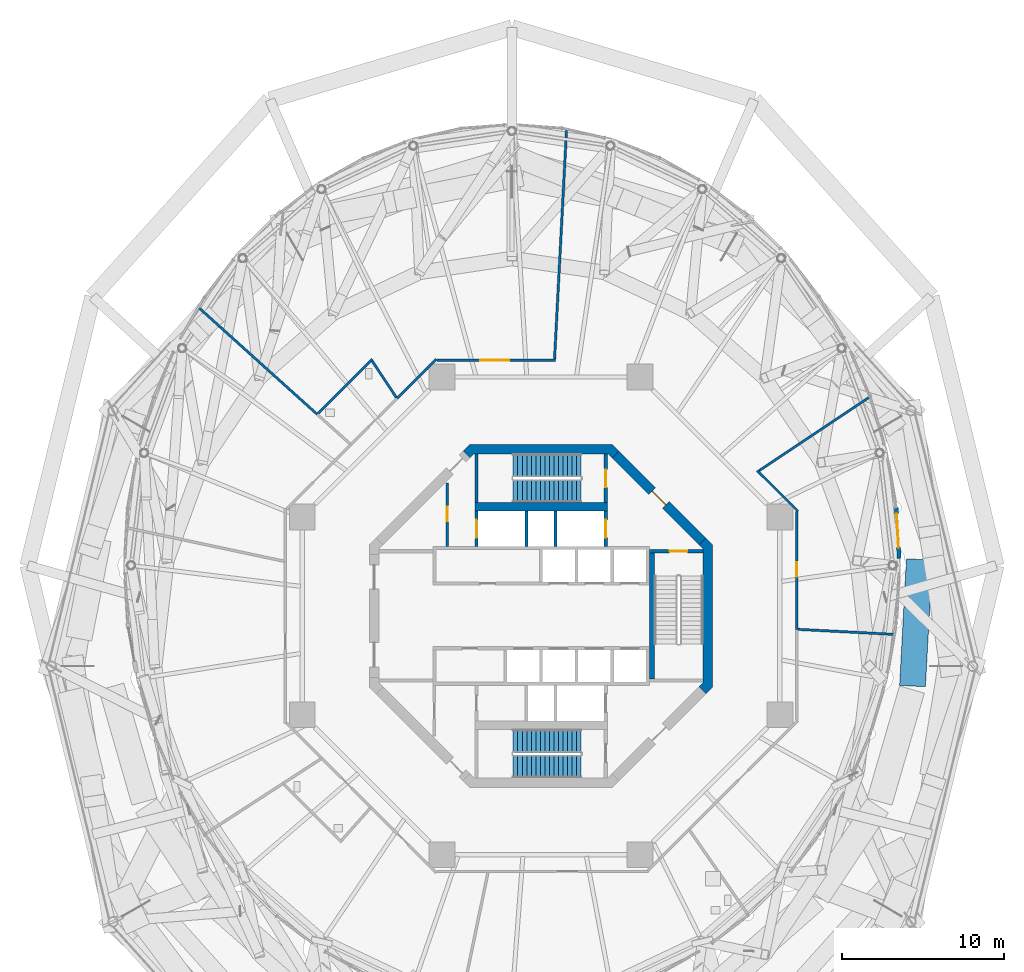
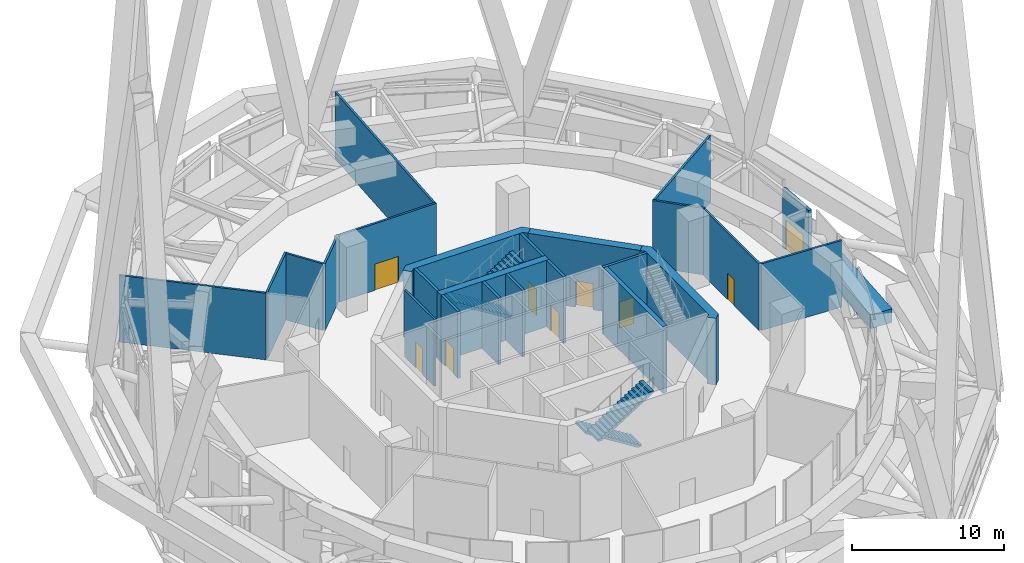
# One storey, part 40 of 48: 25 walls, 9 doors, 4 stair flights, 9 openings, 2 elements without a shape of their own.
"""IFC4 building model written with IfcOpenShell, lengths in metres."""

from ifc_helpers import new_model, si_unit, direction, frame, frame_2d, origin, place, context, subcontext, project, spatial, polyline, rectangle, outline, extrude, material, layer, layer_set, type_object, element, fill, aggregate, save


model = new_model("IFC4")

# Units and contexts
model_context = context("Model", 3, precision=1e-05, world=origin(), true_north=direction((0.0, 1.0)))
body_context = subcontext(model_context, "Body", "Model", "MODEL_VIEW")
ifc_project = project(units=[si_unit("LENGTHUNIT", "METRE"), si_unit("AREAUNIT", "SQUARE_METRE"), si_unit("VOLUMEUNIT", "CUBIC_METRE"), si_unit("PLANEANGLEUNIT", "RADIAN"), si_unit("MASSUNIT", "GRAM", prefix="KILO")], contexts=[model_context])

# Site, building, storey
site_placement = place(None, origin())
site = spatial("IfcSite", under=ifc_project, at=site_placement, CompositionType="ELEMENT")
building_placement = place(site_placement, origin())
building = spatial("IfcBuilding", under=site, at=building_placement, Name="Nagisa Residences", CompositionType="ELEMENT")
storey_placement = place(building_placement, frame((0.0, 0.0, 252.89990234375)))
storey = spatial("IfcBuildingStorey", under=building, at=storey_placement, Name="L64", CompositionType="ELEMENT", Elevation=252.89990234375)

# Wall, opening, door
ifc_material_1 = material(Name="Precast concrete C40/50", Category="concrete")
ifc_layer_1 = layer(ifc_material_1, 0.25)
ifc_layer_set_1 = layer_set([ifc_layer_1], Name="BALCONY DOOR WALL 250")
wall_type_1 = type_object("IfcWallType", Name="BALCONY DOOR WALL 250", PredefinedType="SOLIDWALL", material=ifc_layer_set_1)
wall_1_placement = place(storey_placement, frame((21.9892578125, 6.6884765625, 0.0), z_axis=(0.0, 0.0, 1.0), x_axis=(0.057469494081, -0.998347262855, 0.0)))
wall_1 = element("IfcWall", 1, at=wall_1_placement, inside=storey, type_object=wall_type_1, Name="wall:L64:bay00", PredefinedType="SOLIDWALL", context=body_context, shape_type="SweptSolid", body=[
    extrude(rectangle(XDim=3.130859375, YDim=0.25, at=frame_2d((1.5654296875, 0.0))), origin(), (0.0, 0.0, 1.0), 4.737060546875),
])
opening_1_placement = place(wall_1_placement, frame((0.365478515625, 0.0, 0.0)))
opening_1 = element("IfcOpeningElement", 2, at=opening_1_placement, cuts=wall_1, Name="Opening BD-L64-01", PredefinedType="OPENING", context=body_context, shape_type="SweptSolid", body=[
    extrude(rectangle(XDim=2.10009765625, YDim=2.39990234375, at=frame_2d((1.050048828125, 1.199951171875))), frame((0.0, 0.135009765625, 0.0), z_axis=(0.0, -1.0, 0.0), x_axis=(1.0, 0.0, 0.0)), (0.0, 0.0, 1.0), 0.27001953125),
])
ifc_material_2 = material(Name="Aluminium and clear glass", Category="aluminium")
door_type_1 = type_object("IfcDoorType", Name="BALCONY SLIDING DOOR 2100x2400", OperationType="SLIDING_TO_LEFT", PredefinedType="DOOR", material=ifc_material_2)
door_1_placement = place(opening_1_placement, origin())
door_1 = element("IfcDoor", 3, at=door_1_placement, inside=storey, type_object=door_type_1, Name="door:L64:bay00", OperationType="SLIDING_TO_LEFT", OverallHeight=2.39990234375, OverallWidth=2.10009765625, PredefinedType="DOOR", context=body_context, shape_type="SweptSolid", body=[
    extrude(rectangle(XDim=2.10009765625, YDim=2.39990234375, at=frame_2d((1.050048828125, 1.199951171875))), frame((0.0, 0.02490234375, 0.0), z_axis=(0.0, -1.0, 0.0), x_axis=(1.0, 0.0, 0.0)), (0.0, 0.0, 1.0), 0.050048828125),
])
fill(opening_1, door_1)

ifc_material_3 = material(Name="Gypsum board on steel studs", Category="steel")
ifc_layer_2 = layer(ifc_material_3, 0.14990234375)
ifc_layer_set_2 = layer_set([ifc_layer_2], Name="Core partition 150")
wall_type_2 = type_object("IfcWallType", Name="Core partition 150", PredefinedType="PARTITIONING", material=ifc_layer_set_2)
wall_2_placement = place(storey_placement, frame((-5.800048828125, 4.300048828125, 0.0), z_axis=(0.0, 0.0, 1.0), x_axis=(0.0, 1.0, 0.0)))
wall_2 = element("IfcWall", 4, at=wall_2_placement, inside=storey, type_object=wall_type_2, Name="wall:L64:NWp", PredefinedType="PARTITIONING", context=body_context, shape_type="SweptSolid", body=[
    extrude(rectangle(XDim=3.927001953125, YDim=0.14990234375, at=frame_2d((1.96337890625, 0.0))), origin(), (0.0, 0.0, 1.0), 5.340087890625),
])
opening_2_placement = place(wall_2_placement, frame((1.551025390625, 0.0, 0.0)))
opening_2 = element("IfcOpeningElement", 5, at=opening_2_placement, cuts=wall_2, Name="Opening L64-C14", PredefinedType="OPENING", context=body_context, shape_type="SweptSolid", body=[
    extrude(rectangle(XDim=0.89990234375, YDim=2.10009765625, at=frame_2d((0.449951171875, 1.050048828125))), frame((0.0, 0.0849609375, 0.0), z_axis=(0.0, -1.0, 0.0), x_axis=(1.0, 0.0, 0.0)), (0.0, 0.0, 1.0), 0.169921875),
])
ifc_material_4 = material(Name="Steel fire door", Category="steel")
door_type_2 = type_object("IfcDoorType", Name="Fire door EI30 900x2100 single swing", OperationType="NOTDEFINED", PredefinedType="DOOR", material=ifc_material_4)
door_2_placement = place(opening_2_placement, origin())
door_2 = element("IfcDoor", 6, at=door_2_placement, inside=storey, type_object=door_type_2, Name="Linen store door L64", OperationType="SINGLE_SWING_RIGHT", OverallHeight=2.10009765625, OverallWidth=0.89990234375, PredefinedType="DOOR", context=body_context, shape_type="SweptSolid", body=[
    extrude(rectangle(XDim=0.89990234375, YDim=2.10009765625, at=frame_2d((0.449951171875, 1.050048828125))), frame((0.0, 0.02490234375, 0.0), z_axis=(0.0, -1.0, 0.0), x_axis=(1.0, 0.0, 0.0)), (0.0, 0.0, 1.0), 0.050048828125),
])
fill(opening_2, door_2)

ifc_material_5 = material(Name="Concrete C60", Category="concrete")
ifc_layer_3 = layer(ifc_material_5, 0.60009765625)
ifc_layer_set_3 = layer_set([ifc_layer_3], Name="Core shear wall 600")
wall_type_3 = type_object("IfcWallType", Name="Core shear wall 600", PredefinedType="SHEAR", material=ifc_layer_set_3)
wall_3_placement = place(storey_placement, frame((9.98828125, 4.613037109375, 0.0), z_axis=(0.0, 0.0, 1.0), x_axis=(-0.707106781187, 0.707106781187, 0.0)))
wall_3 = element("IfcWall", 7, at=wall_3_placement, inside=storey, type_object=wall_type_3, Name="wall:L64:core:flat1", PredefinedType="SHEAR", context=body_context, shape_type="SweptSolid", body=[
    extrude(rectangle(XDim=7.601806640625, YDim=0.60009765625, at=frame_2d((3.80078125, 0.0))), origin(), (0.0, 0.0, 1.0), 5.340087890625),
])
opening_3_placement = place(wall_3_placement, frame((3.200927734375, 0.0, 0.0)))
opening_3 = element("IfcOpeningElement", 8, at=opening_3_placement, cuts=wall_3, Name="Opening L64-C19", PredefinedType="OPENING", context=body_context, shape_type="SweptSolid", body=[
    extrude(rectangle(XDim=1.199951171875, YDim=2.10009765625, at=frame_2d((0.60009765625, 1.050048828125))), frame((0.0, 0.31005859375, 0.0), z_axis=(0.0, -1.0, 0.0), x_axis=(1.0, 0.0, 0.0)), (0.0, 0.0, 1.0), 0.6201171875),
])
ifc_material_6 = material(Name="Steel fire door", Category="steel")
door_type_3 = type_object("IfcDoorType", Name="Fire door EI60 1200x2100 single swing", OperationType="NOTDEFINED", PredefinedType="DOOR", material=ifc_material_6)
door_3_placement = place(opening_3_placement, origin())
door_3 = element("IfcDoor", 9, at=door_3_placement, inside=storey, type_object=door_type_3, Name="Firefighting lobby 1 door L64", OperationType="SINGLE_SWING_LEFT", OverallHeight=2.10009765625, OverallWidth=1.199951171875, PredefinedType="DOOR", context=body_context, shape_type="SweptSolid", body=[
    extrude(rectangle(XDim=1.199951171875, YDim=2.10009765625, at=frame_2d((0.60009765625, 1.050048828125))), frame((0.0, 0.02490234375, 0.0), z_axis=(0.0, -1.0, 0.0), x_axis=(1.0, 0.0, 0.0)), (0.0, 0.0, 1.0), 0.050048828125),
])
fill(opening_3, door_3)

# Walls
wall_4_placement = place(storey_placement, origin())
element("IfcWall", 10, at=wall_4_placement, inside=storey, type_object=wall_type_3, Name="wall:L64:core:flat2", PredefinedType="SHEAR", context=body_context, shape_type="SweptSolid", body=[
    extrude(outline(polyline([(-4.15234375, 10.024658203125), (-4.40087890625, 9.776123046875), (-4.8251953125, 10.200439453125), (-4.40087890625, 10.62451171875), (4.40087890625, 10.62451171875), (4.8251953125, 10.200439453125), (4.40087890625, 9.776123046875), (4.15234375, 10.024658203125), (-4.15234375, 10.024658203125)])), origin(), (0.0, 0.0, 1.0), 5.340087890625),
])
wall_5_placement = place(storey_placement, origin())
element("IfcWall", 11, at=wall_5_placement, inside=storey, type_object=wall_type_3, Name="wall:L64:core:flat0", PredefinedType="SHEAR", context=body_context, shape_type="SweptSolid", body=[
    extrude(outline(polyline([(9.776123046875, -4.40087890625), (10.024658203125, -4.15234375), (10.024658203125, -3.801025390625), (10.024658203125, 4.15234375), (9.776123046875, 4.40087890625), (10.200439453125, 4.8251953125), (10.62451171875, 4.40087890625), (10.62451171875, -4.40087890625), (10.200439453125, -4.8251953125), (9.776123046875, -4.40087890625)])), origin(), (0.0, 0.0, 1.0), 5.340087890625),
])

# Wall, opening, door
ifc_material_7 = material(Name="Concrete C60", Category="concrete")
ifc_layer_4 = layer(ifc_material_7, 0.199951171875)
ifc_layer_set_4 = layer_set([ifc_layer_4], Name="Lift shaft wall 200")
wall_type_4 = type_object("IfcWallType", Name="Lift shaft wall 200", PredefinedType="SOLIDWALL", material=ifc_layer_set_4)
wall_6_placement = place(storey_placement, frame((4.0, 4.300048828125, 0.0), z_axis=(0.0, 0.0, 1.0), x_axis=(0.0, 1.0, 0.0)))
wall_6 = element("IfcWall", 12, at=wall_6_placement, inside=storey, type_object=wall_type_4, Name="wall:L64:Nb3", PredefinedType="SOLIDWALL", context=body_context, shape_type="SweptSolid", body=[
    extrude(rectangle(XDim=2.199951171875, YDim=0.199951171875, at=frame_2d((1.10009765625, 0.0))), origin(), (0.0, 0.0, 1.0), 5.340087890625),
])
opening_4_placement = place(wall_6_placement, frame((0.550048828125, 0.0, 0.0)))
opening_4 = element("IfcOpeningElement", 13, at=opening_4_placement, cuts=wall_6, Name="Opening L64-C08", PredefinedType="OPENING", context=body_context, shape_type="SweptSolid", body=[
    extrude(rectangle(XDim=1.10009765625, YDim=2.10009765625, at=frame_2d((0.550048828125, 1.050048828125))), frame((0.0, 0.10986328125, 0.0), z_axis=(0.0, -1.0, 0.0), x_axis=(1.0, 0.0, 0.0)), (0.0, 0.0, 1.0), 0.219970703125),
])
ifc_material_8 = material(Name="Stainless steel", Category="steel")
door_type_4 = type_object("IfcDoorType", Name="Lift landing door 1100x2100", OperationType="DOUBLE_DOOR_SLIDING", PredefinedType="DOOR", material=ifc_material_8)
door_4_placement = place(opening_4_placement, origin())
door_4 = element("IfcDoor", 14, at=door_4_placement, inside=storey, type_object=door_type_4, Name="Landing door FL1 L64", OperationType="DOUBLE_DOOR_SLIDING", OverallHeight=2.10009765625, OverallWidth=1.10009765625, PredefinedType="DOOR", context=body_context, shape_type="SweptSolid", body=[
    extrude(rectangle(XDim=1.10009765625, YDim=2.10009765625, at=frame_2d((0.550048828125, 1.050048828125))), frame((0.0, 0.02490234375, 0.0), z_axis=(0.0, -1.0, 0.0), x_axis=(1.0, 0.0, 0.0)), (0.0, 0.0, 1.0), 0.050048828125),
])
fill(opening_4, door_4)

wall_7_placement = place(storey_placement, frame((-4.0, 4.300048828125, 0.0), z_axis=(0.0, 0.0, 1.0), x_axis=(0.0, 1.0, 0.0)))
wall_7 = element("IfcWall", 15, at=wall_7_placement, inside=storey, type_object=wall_type_4, Name="wall:L64:Nb4", PredefinedType="SOLIDWALL", context=body_context, shape_type="SweptSolid", body=[
    extrude(rectangle(XDim=2.199951171875, YDim=0.199951171875, at=frame_2d((1.10009765625, 0.0))), origin(), (0.0, 0.0, 1.0), 5.340087890625),
])
opening_5_placement = place(wall_7_placement, frame((0.550048828125, 0.0, 0.0)))
opening_5 = element("IfcOpeningElement", 16, at=opening_5_placement, cuts=wall_7, Name="Opening L64-C10", PredefinedType="OPENING", context=body_context, shape_type="SweptSolid", body=[
    extrude(rectangle(XDim=1.10009765625, YDim=2.10009765625, at=frame_2d((0.550048828125, 1.050048828125))), frame((0.0, 0.10986328125, 0.0), z_axis=(0.0, -1.0, 0.0), x_axis=(1.0, 0.0, 0.0)), (0.0, 0.0, 1.0), 0.219970703125),
])
door_5_placement = place(opening_5_placement, origin())
door_5 = element("IfcDoor", 17, at=door_5_placement, inside=storey, type_object=door_type_4, Name="Landing door SV L64", OperationType="DOUBLE_DOOR_SLIDING", OverallHeight=2.10009765625, OverallWidth=1.10009765625, PredefinedType="DOOR", context=body_context, shape_type="SweptSolid", body=[
    extrude(rectangle(XDim=1.10009765625, YDim=2.10009765625, at=frame_2d((0.550048828125, 1.050048828125))), frame((0.0, 0.02490234375, 0.0), z_axis=(0.0, -1.0, 0.0), x_axis=(1.0, 0.0, 0.0)), (0.0, 0.0, 1.0), 0.050048828125),
])
fill(opening_5, door_5)

# Walls
for number, where, z_axis, x_axis, name in (
    (18, (-0.89990234375, 4.300048828125, 0.0), (0.0, 0.0, 1.0), (0.0, 1.0, 0.0), "wall:L64:Nb1"),
    (19, (0.89990234375, 4.300048828125, 0.0), (0.0, 0.0, 1.0), (0.0, 1.0, 0.0), "wall:L64:Nb2"),
):
    element("IfcWall", number, at=place(storey_placement, frame(where, z_axis=z_axis, x_axis=x_axis)), inside=storey, type_object=wall_type_4, Name=name, PredefinedType="SOLIDWALL", context=body_context, shape_type="SweptSolid", body=[
        extrude(rectangle(XDim=2.199951171875, YDim=0.199951171875, at=frame_2d((1.10009765625, 0.0))), origin(), (0.0, 0.0, 1.0), 5.340087890625),
    ])
ifc_material_9 = material(Name="Precast concrete C30/37", Category="concrete")
ifc_layer_5 = layer(ifc_material_9, 1.60009765625)
ifc_layer_set_5 = layer_set([ifc_layer_5], Name="PLANTER")
wall_type_5 = type_object("IfcWallType", Name="PLANTER", PredefinedType="SOLIDWALL", material=ifc_layer_set_5)
wall_8_placement = place(storey_placement, frame((22.993408203125, -4.34375, 0.0), z_axis=(0.0, 0.0, 1.0), x_axis=(0.053840309184, 0.998549558663, 0.0)))
element("IfcWall", 20, at=wall_8_placement, inside=storey, type_object=wall_type_5, Name="planter:L64:deck017", PredefinedType="SOLIDWALL", context=body_context, shape_type="SweptSolid", body=[
    extrude(rectangle(XDim=7.849365234375, YDim=1.60009765625, at=frame_2d((3.9248046875, 0.0))), origin(), (0.0, 0.0, 1.0), 1.10009765625),
])
ifc_material_10 = material(Name="Gypsum board on steel studs", Category="steel")
ifc_layer_6 = layer(ifc_material_10, 0.14990234375)
ifc_layer_set_6 = layer_set([ifc_layer_6], Name="Room partition EI60 150")
wall_type_6 = type_object("IfcWallType", Name="Room partition EI60 150", PredefinedType="PARTITIONING", material=ifc_layer_set_6)
wall_9_placement = place(storey_placement, frame((-13.860107421875, 12.47900390625, 0.0), z_axis=(0.0, 0.0, 1.0), x_axis=(-0.743139166891, 0.669136890803, 0.0)))
element("IfcWall", 21, at=wall_9_placement, inside=storey, type_object=wall_type_6, Name="wall:L64:am005", PredefinedType="PARTITIONING", context=body_context, shape_type="SweptSolid", body=[
    extrude(rectangle(XDim=9.870849609375, YDim=0.14990234375, at=frame_2d((4.935546875, 0.0))), origin(), (0.0, 0.0, 1.0), 5.340087890625),
])
wall_10_placement = place(storey_placement, frame((-13.806884765625, 12.5322265625, 0.0), z_axis=(0.0, 0.0, 1.0), x_axis=(0.70713244796, 0.707081113481, 0.0)))
element("IfcWall", 22, at=wall_10_placement, inside=storey, type_object=wall_type_6, Name="wall:L64:am006", PredefinedType="PARTITIONING", context=body_context, shape_type="SweptSolid", body=[
    extrude(rectangle(XDim=4.755859375, YDim=0.14990234375, at=frame_2d((2.3779296875, 0.0))), origin(), (0.0, 0.0, 1.0), 5.340087890625),
])
wall_11_placement = place(storey_placement, frame((-10.455810546875, 15.777099609375, 0.0), z_axis=(0.0, 0.0, 1.0), x_axis=(0.552489229136, -0.833520036765, 0.0)))
element("IfcWall", 23, at=wall_11_placement, inside=storey, type_object=wall_type_6, Name="wall:L64:am014", PredefinedType="PARTITIONING", context=body_context, shape_type="SweptSolid", body=[
    extrude(rectangle(XDim=2.70361328125, YDim=0.14990234375, at=frame_2d((1.351806640625, 0.0))), origin(), (0.0, 0.0, 1.0), 5.340087890625),
])
wall_12_placement = place(storey_placement, frame((-8.919921875, 13.4599609375, 0.0), z_axis=(0.0, 0.0, 1.0), x_axis=(0.707106781187, 0.707106781187, 0.0)))
element("IfcWall", 24, at=wall_12_placement, inside=storey, type_object=wall_type_6, Name="wall:L64:am015", PredefinedType="PARTITIONING", context=body_context, shape_type="SweptSolid", body=[
    extrude(rectangle(XDim=3.45068359375, YDim=0.14990234375, at=frame_2d((1.725341796875, 0.0))), origin(), (0.0, 0.0, 1.0), 5.340087890625),
])

# Wall, opening, door
wall_13_placement = place(storey_placement, frame((-6.448974609375, 15.824951171875, 0.0), z_axis=(0.0, 0.0, 1.0), x_axis=(1.0, 0.0, 0.0)))
wall_13 = element("IfcWall", 25, at=wall_13_placement, inside=storey, type_object=wall_type_6, Name="wall:L64:am017", PredefinedType="PARTITIONING", context=body_context, shape_type="SweptSolid", body=[
    extrude(rectangle(XDim=7.35302734375, YDim=0.14990234375, at=frame_2d((3.676513671875, 0.0))), origin(), (0.0, 0.0, 1.0), 5.340087890625),
])
opening_6_placement = place(wall_13_placement, frame((2.685791015625, 0.0, 0.0)))
opening_6 = element("IfcOpeningElement", 26, at=opening_6_placement, cuts=wall_13, Name="Opening L64-A02", PredefinedType="OPENING", context=body_context, shape_type="SweptSolid", body=[
    extrude(rectangle(XDim=1.800048828125, YDim=2.10009765625, at=frame_2d((0.89990234375, 1.050048828125))), frame((0.0, 0.0849609375, 0.0), z_axis=(0.0, -1.0, 0.0), x_axis=(1.0, 0.0, 0.0)), (0.0, 0.0, 1.0), 0.169921875),
])
ifc_material_11 = material(Name="Steel fire door", Category="steel")
door_type_5 = type_object("IfcDoorType", Name="Fire door EI30 1800x2100 double door single swing", OperationType="DOUBLE_DOOR_SINGLE_SWING", PredefinedType="DOOR", material=ifc_material_11)
door_6_placement = place(opening_6_placement, origin())
door_6 = element("IfcDoor", 27, at=door_6_placement, inside=storey, type_object=door_type_5, Name="Spa terrace lounge door", OperationType="DOUBLE_DOOR_SINGLE_SWING", OverallHeight=2.10009765625, OverallWidth=1.800048828125, PredefinedType="DOOR", context=body_context, shape_type="SweptSolid", body=[
    extrude(rectangle(XDim=1.800048828125, YDim=2.10009765625, at=frame_2d((0.89990234375, 1.050048828125))), frame((0.0, 0.02490234375, 0.0), z_axis=(0.0, -1.0, 0.0), x_axis=(1.0, 0.0, 0.0)), (0.0, 0.0, 1.0), 0.050048828125),
])
fill(opening_6, door_6)

# Walls
wall_14_placement = place(storey_placement, frame((0.8330078125, 15.89990234375, 0.0), z_axis=(0.0, 0.0, 1.0), x_axis=(0.052336520132, 0.998629505202, 0.0)))
element("IfcWall", 28, at=wall_14_placement, inside=storey, type_object=wall_type_6, Name="wall:L64:am020", PredefinedType="PARTITIONING", context=body_context, shape_type="SweptSolid", body=[
    extrude(rectangle(XDim=14.237060546875, YDim=0.14990234375, at=frame_2d((7.11865234375, 0.0))), origin(), (0.0, 0.0, 1.0), 5.340087890625),
])
wall_15_placement = place(storey_placement, frame((13.3779296875, 9.0009765625, 0.0), z_axis=(0.0, 0.0, 1.0), x_axis=(0.707243697976, -0.70696983788, 0.0)))
element("IfcWall", 29, at=wall_15_placement, inside=storey, type_object=wall_type_6, Name="wall:L64:am024", PredefinedType="PARTITIONING", context=body_context, shape_type="SweptSolid", body=[
    extrude(rectangle(XDim=3.56591796875, YDim=0.14990234375, at=frame_2d((1.782958984375, 0.0))), origin(), (0.0, 0.0, 1.0), 5.340087890625),
])
wall_16_placement = place(storey_placement, frame((15.89990234375, -0.8330078125, 0.0), z_axis=(0.0, 0.0, 1.0), x_axis=(0.998626655177, -0.052390872958, 0.0)))
element("IfcWall", 30, at=wall_16_placement, inside=storey, type_object=wall_type_6, Name="wall:L64:am027", PredefinedType="PARTITIONING", context=body_context, shape_type="SweptSolid", body=[
    extrude(rectangle(XDim=5.95068359375, YDim=0.14990234375, at=frame_2d((2.975341796875, 0.0))), origin(), (0.0, 0.0, 1.0), 5.340087890625),
])

# Wall, opening, door
wall_17_placement = place(storey_placement, frame((15.824951171875, 6.448974609375, 0.0), z_axis=(0.0, 0.0, 1.0), x_axis=(0.0, -1.0, 0.0)))
wall_17 = element("IfcWall", 31, at=wall_17_placement, inside=storey, type_object=wall_type_6, Name="wall:L64:am028", PredefinedType="PARTITIONING", context=body_context, shape_type="SweptSolid", body=[
    extrude(rectangle(XDim=7.278076171875, YDim=0.14990234375, at=frame_2d((3.63916015625, 0.0))), origin(), (0.0, 0.0, 1.0), 5.340087890625),
])
opening_7_placement = place(wall_17_placement, frame((3.135986328125, 0.0, 0.0)))
opening_7 = element("IfcOpeningElement", 32, at=opening_7_placement, cuts=wall_17, Name="Opening L64-A09", PredefinedType="OPENING", context=body_context, shape_type="SweptSolid", body=[
    extrude(rectangle(XDim=0.89990234375, YDim=2.10009765625, at=frame_2d((0.449951171875, 1.050048828125))), frame((0.0, 0.0849609375, 0.0), z_axis=(0.0, -1.0, 0.0), x_axis=(1.0, 0.0, 0.0)), (0.0, 0.0, 1.0), 0.169921875),
])
door_7_placement = place(opening_7_placement, origin())
door_7 = element("IfcDoor", 33, at=door_7_placement, inside=storey, type_object=door_type_2, Name="Spa reception door", OperationType="SINGLE_SWING_LEFT", OverallHeight=2.10009765625, OverallWidth=0.89990234375, PredefinedType="DOOR", context=body_context, shape_type="SweptSolid", body=[
    extrude(rectangle(XDim=0.89990234375, YDim=2.10009765625, at=frame_2d((0.449951171875, 1.050048828125))), frame((0.0, 0.02490234375, 0.0), z_axis=(0.0, -1.0, 0.0), x_axis=(1.0, 0.0, 0.0)), (0.0, 0.0, 1.0), 0.050048828125),
])
fill(opening_7, door_7)

# Wall
wall_18_placement = place(storey_placement, frame((20.34716796875, 13.5537109375, 0.0), z_axis=(0.0, 0.0, 1.0), x_axis=(-0.832246423535, -0.554405889681, 0.0)))
element("IfcWall", 34, at=wall_18_placement, inside=storey, type_object=wall_type_6, Name="wall:L64:am029", PredefinedType="PARTITIONING", context=body_context, shape_type="SweptSolid", body=[
    extrude(rectangle(XDim=8.232666015625, YDim=0.14990234375, at=frame_2d((4.1162109375, 0.0))), origin(), (0.0, 0.0, 1.0), 5.340087890625),
])

# Wall, opening, door
ifc_material_12 = material(Name="Concrete C60", Category="concrete")
ifc_layer_7 = layer(ifc_material_12, 0.199951171875)
ifc_layer_set_7 = layer_set([ifc_layer_7], Name="Stair enclosure wall 200")
wall_type_7 = type_object("IfcWallType", Name="Stair enclosure wall 200", PredefinedType="SOLIDWALL", material=ifc_layer_set_7)
wall_19_placement = place(storey_placement, frame((6.699951171875, 4.0, 0.0), z_axis=(0.0, 0.0, 1.0), x_axis=(1.0, 0.0, 0.0)))
wall_19 = element("IfcWall", 35, at=wall_19_placement, inside=storey, type_object=wall_type_7, Name="wall:L64:SE_n", PredefinedType="SOLIDWALL", context=body_context, shape_type="SweptSolid", body=[
    extrude(rectangle(XDim=3.32470703125, YDim=0.199951171875, at=frame_2d((1.662353515625, 0.0))), origin(), (0.0, 0.0, 1.0), 5.340087890625),
])
opening_8_placement = place(wall_19_placement, frame((1.25, 0.0, 0.0)))
opening_8 = element("IfcOpeningElement", 36, at=opening_8_placement, cuts=wall_19, Name="Opening L64-C11", PredefinedType="OPENING", context=body_context, shape_type="SweptSolid", body=[
    extrude(rectangle(XDim=1.10009765625, YDim=2.10009765625, at=frame_2d((0.550048828125, 1.050048828125))), frame((0.0, 0.10986328125, 0.0), z_axis=(0.0, -1.0, 0.0), x_axis=(1.0, 0.0, 0.0)), (0.0, 0.0, 1.0), 0.219970703125),
])
ifc_material_13 = material(Name="Steel fire door", Category="steel")
door_type_6 = type_object("IfcDoorType", Name="Fire door EI90 1100x2100 single swing", OperationType="NOTDEFINED", PredefinedType="DOOR", material=ifc_material_13)
door_8_placement = place(opening_8_placement, frame((1.10009765625, 0.0, 0.0), x_axis=(-1.0, 0.0, 0.0)))
door_8 = element("IfcDoor", 37, at=door_8_placement, inside=storey, type_object=door_type_6, Name="Stair door ST-E L64", OperationType="SINGLE_SWING_RIGHT", OverallHeight=2.10009765625, OverallWidth=1.10009765625, PredefinedType="DOOR", context=body_context, shape_type="SweptSolid", body=[
    extrude(rectangle(XDim=1.10009765625, YDim=2.10009765625, at=frame_2d((0.550048828125, 1.050048828125))), frame((0.0, 0.02490234375, 0.0), z_axis=(0.0, -1.0, 0.0), x_axis=(1.0, 0.0, 0.0)), (0.0, 0.0, 1.0), 0.050048828125),
])
fill(opening_8, door_8)

wall_20_placement = place(storey_placement, frame((4.0, 7.024658203125, 0.0), z_axis=(0.0, 0.0, 1.0), x_axis=(0.0, 1.0, 0.0)))
wall_20 = element("IfcWall", 38, at=wall_20_placement, inside=storey, type_object=wall_type_7, Name="wall:L64:SN_e", PredefinedType="SOLIDWALL", context=body_context, shape_type="SweptSolid", body=[
    extrude(rectangle(XDim=3.0, YDim=0.199951171875, at=frame_2d((1.5, 0.0))), origin(), (0.0, 0.0, 1.0), 5.340087890625),
])
opening_9_placement = place(wall_20_placement, frame((0.92529296875, 0.0, 0.0)))
opening_9 = element("IfcOpeningElement", 39, at=opening_9_placement, cuts=wall_20, Name="Opening L64-C12", PredefinedType="OPENING", context=body_context, shape_type="SweptSolid", body=[
    extrude(rectangle(XDim=1.10009765625, YDim=2.10009765625, at=frame_2d((0.550048828125, 1.050048828125))), frame((0.0, 0.10986328125, 0.0), z_axis=(0.0, -1.0, 0.0), x_axis=(1.0, 0.0, 0.0)), (0.0, 0.0, 1.0), 0.219970703125),
])
door_9_placement = place(opening_9_placement, origin())
door_9 = element("IfcDoor", 40, at=door_9_placement, inside=storey, type_object=door_type_6, Name="Stair door ST-N L64", OperationType="SINGLE_SWING_LEFT", OverallHeight=2.10009765625, OverallWidth=1.10009765625, PredefinedType="DOOR", context=body_context, shape_type="SweptSolid", body=[
    extrude(rectangle(XDim=1.10009765625, YDim=2.10009765625, at=frame_2d((0.550048828125, 1.050048828125))), frame((0.0, 0.02490234375, 0.0), z_axis=(0.0, -1.0, 0.0), x_axis=(1.0, 0.0, 0.0)), (0.0, 0.0, 1.0), 0.050048828125),
])
fill(opening_9, door_9)

# Walls
wall_21_placement = place(storey_placement, origin())
element("IfcWall", 41, at=wall_21_placement, inside=storey, type_object=wall_type_7, Name="wall:L64:SN_w", PredefinedType="SOLIDWALL", context=body_context, shape_type="SweptSolid", body=[
    extrude(outline(polyline([(-3.89990234375, 7.024658203125), (-4.10009765625, 7.024658203125), (-4.10009765625, 10.024658203125), (-3.89990234375, 10.024658203125), (-3.89990234375, 7.024658203125)])), origin(), (0.0, 0.0, 1.0), 5.340087890625),
])
wall_22_placement = place(storey_placement, origin())
element("IfcWall", 42, at=wall_22_placement, inside=storey, type_object=wall_type_7, Name="wall:L64:SN_s", PredefinedType="SOLIDWALL", context=body_context, shape_type="SweptSolid", body=[
    extrude(outline(polyline([(4.10009765625, 6.5), (-4.10009765625, 6.5), (-4.10009765625, 7.024658203125), (4.10009765625, 7.024658203125), (4.10009765625, 6.5)])), origin(), (0.0, 0.0, 1.0), 5.340087890625),
])
wall_23_placement = place(storey_placement, origin())
element("IfcWall", 43, at=wall_23_placement, inside=storey, type_object=wall_type_7, Name="wall:L64:SE_w", PredefinedType="SOLIDWALL", context=body_context, shape_type="SweptSolid", body=[
    extrude(outline(polyline([(7.024658203125, -3.89990234375), (6.699951171875, -3.89990234375), (6.699951171875, 3.89990234375), (7.024658203125, 3.89990234375), (7.024658203125, -3.89990234375)])), origin(), (0.0, 0.0, 1.0), 5.340087890625),
])

# Stair, stair flights
ifc_material_14 = material(Name="Concrete C60", Category="concrete")
stair_type = type_object("IfcStairType", Name="Exit stair", PredefinedType="HALF_TURN_STAIR", material=ifc_material_14)
stair_1_placement = place(storey_placement, origin())
stair_1 = element("IfcStair", 44, at=stair_1_placement, inside=storey, type_object=stair_type, Name="L64 Exit stair N", PredefinedType="HALF_TURN_STAIR")
ifc_material_15 = material(Name="Concrete C60", Category="concrete")
stair_flight_type = type_object("IfcStairFlightType", Name="Exit stair flight", PredefinedType="STRAIGHT", material=ifc_material_15)
stair_flight_1_placement = place(storey_placement, frame((2.47509765625, 9.31201171875, 0.0), z_axis=(0.0, 0.0, 1.0), x_axis=(-1.0, 0.0, 0.0)))
stair_flight_1 = element("IfcStairFlight", 45, at=stair_flight_1_placement, type_object=stair_flight_type, Name="ST-N flight 1", NumberOfRisers=16, NumberOfTreads=15, PredefinedType="STRAIGHT", RiserHeight=0.175, TreadLength=0.28, context=body_context, shape_type="SweptSolid", body=[
    extrude(outline(polyline([(0.0, 0.0), (0.0, 0.175048828125), (0.280029296875, 0.175048828125), (0.280029296875, 0.35009765625), (0.56005859375, 0.35009765625), (0.56005859375, 0.52490234375), (0.840087890625, 0.52490234375), (0.840087890625, 0.699951171875), (1.1201171875, 0.699951171875), (1.1201171875, 0.875), (1.39990234375, 0.875), (1.39990234375, 1.050048828125), (1.679931640625, 1.050048828125), (1.679931640625, 1.22509765625), (1.9599609375, 1.22509765625), (1.9599609375, 1.39990234375), (2.239990234375, 1.39990234375), (2.239990234375, 1.574951171875), (2.52001953125, 1.574951171875), (2.52001953125, 1.75), (2.800048828125, 1.75), (2.800048828125, 1.925048828125), (3.080078125, 1.925048828125), (3.080078125, 2.10009765625), (3.360107421875, 2.10009765625), (3.360107421875, 2.27490234375), (3.639892578125, 2.27490234375), (3.639892578125, 2.449951171875), (3.919921875, 2.449951171875), (3.919921875, 2.625), (4.199951171875, 2.625), (4.199951171875, 2.800048828125), (4.199951171875, 2.4482421875), (0.28271484375, 0.0), (0.0, 0.0)])), frame((0.0, 0.71240234375, 0.0), z_axis=(0.0, -1.0, 0.0), x_axis=(1.0, 0.0, 0.0)), (0.0, 0.0, 1.0), 1.425048828125),
])
stair_flight_2_placement = place(storey_placement, frame((-1.72509765625, 7.737060546875, 2.800048828125), z_axis=(0.0, 0.0, 1.0), x_axis=(1.0, 0.0, 0.0)))
stair_flight_2 = element("IfcStairFlight", 46, at=stair_flight_2_placement, type_object=stair_flight_type, Name="ST-N flight 2", NumberOfRisers=16, NumberOfTreads=15, PredefinedType="STRAIGHT", RiserHeight=0.175, TreadLength=0.28, context=body_context, shape_type="SweptSolid", body=[
    extrude(outline(polyline([(0.0, 0.0), (0.0, 0.175048828125), (0.280029296875, 0.175048828125), (0.280029296875, 0.35009765625), (0.56005859375, 0.35009765625), (0.56005859375, 0.52490234375), (0.840087890625, 0.52490234375), (0.840087890625, 0.699951171875), (1.1201171875, 0.699951171875), (1.1201171875, 0.875), (1.39990234375, 0.875), (1.39990234375, 1.050048828125), (1.679931640625, 1.050048828125), (1.679931640625, 1.22509765625), (1.9599609375, 1.22509765625), (1.9599609375, 1.39990234375), (2.239990234375, 1.39990234375), (2.239990234375, 1.574951171875), (2.52001953125, 1.574951171875), (2.52001953125, 1.75), (2.800048828125, 1.75), (2.800048828125, 1.925048828125), (3.080078125, 1.925048828125), (3.080078125, 2.10009765625), (3.360107421875, 2.10009765625), (3.360107421875, 2.27490234375), (3.639892578125, 2.27490234375), (3.639892578125, 2.449951171875), (3.919921875, 2.449951171875), (3.919921875, 2.625), (4.199951171875, 2.625), (4.199951171875, 2.800048828125), (4.199951171875, 2.4482421875), (0.28271484375, 0.0), (0.0, 0.0)])), frame((0.0, 0.71240234375, 0.0), z_axis=(0.0, -1.0, 0.0), x_axis=(1.0, 0.0, 0.0)), (0.0, 0.0, 1.0), 1.425048828125),
])
aggregate(stair_1, [stair_flight_1, stair_flight_2])

stair_2_placement = place(storey_placement, origin())
stair_2 = element("IfcStair", 47, at=stair_2_placement, inside=storey, type_object=stair_type, Name="L64 Exit stair S", PredefinedType="HALF_TURN_STAIR")
stair_flight_3_placement = place(storey_placement, frame((2.47509765625, -7.737060546875, 0.0), z_axis=(0.0, 0.0, 1.0), x_axis=(-1.0, 0.0, 0.0)))
stair_flight_3 = element("IfcStairFlight", 48, at=stair_flight_3_placement, type_object=stair_flight_type, Name="ST-S flight 1", NumberOfRisers=16, NumberOfTreads=15, PredefinedType="STRAIGHT", RiserHeight=0.175, TreadLength=0.28, context=body_context, shape_type="SweptSolid", body=[
    extrude(outline(polyline([(0.0, 0.0), (0.0, 0.175048828125), (0.280029296875, 0.175048828125), (0.280029296875, 0.35009765625), (0.56005859375, 0.35009765625), (0.56005859375, 0.52490234375), (0.840087890625, 0.52490234375), (0.840087890625, 0.699951171875), (1.1201171875, 0.699951171875), (1.1201171875, 0.875), (1.39990234375, 0.875), (1.39990234375, 1.050048828125), (1.679931640625, 1.050048828125), (1.679931640625, 1.22509765625), (1.9599609375, 1.22509765625), (1.9599609375, 1.39990234375), (2.239990234375, 1.39990234375), (2.239990234375, 1.574951171875), (2.52001953125, 1.574951171875), (2.52001953125, 1.75), (2.800048828125, 1.75), (2.800048828125, 1.925048828125), (3.080078125, 1.925048828125), (3.080078125, 2.10009765625), (3.360107421875, 2.10009765625), (3.360107421875, 2.27490234375), (3.639892578125, 2.27490234375), (3.639892578125, 2.449951171875), (3.919921875, 2.449951171875), (3.919921875, 2.625), (4.199951171875, 2.625), (4.199951171875, 2.800048828125), (4.199951171875, 2.4482421875), (0.28271484375, 0.0), (0.0, 0.0)])), frame((0.0, 0.71240234375, 0.0), z_axis=(0.0, -1.0, 0.0), x_axis=(1.0, 0.0, 0.0)), (0.0, 0.0, 1.0), 1.425048828125),
])
stair_flight_4_placement = place(storey_placement, frame((-1.72509765625, -9.31201171875, 2.800048828125), z_axis=(0.0, 0.0, 1.0), x_axis=(1.0, 0.0, 0.0)))
stair_flight_4 = element("IfcStairFlight", 49, at=stair_flight_4_placement, type_object=stair_flight_type, Name="ST-S flight 2", NumberOfRisers=16, NumberOfTreads=15, PredefinedType="STRAIGHT", RiserHeight=0.175, TreadLength=0.28, context=body_context, shape_type="SweptSolid", body=[
    extrude(outline(polyline([(0.0, 0.0), (0.0, 0.175048828125), (0.280029296875, 0.175048828125), (0.280029296875, 0.35009765625), (0.56005859375, 0.35009765625), (0.56005859375, 0.52490234375), (0.840087890625, 0.52490234375), (0.840087890625, 0.699951171875), (1.1201171875, 0.699951171875), (1.1201171875, 0.875), (1.39990234375, 0.875), (1.39990234375, 1.050048828125), (1.679931640625, 1.050048828125), (1.679931640625, 1.22509765625), (1.9599609375, 1.22509765625), (1.9599609375, 1.39990234375), (2.239990234375, 1.39990234375), (2.239990234375, 1.574951171875), (2.52001953125, 1.574951171875), (2.52001953125, 1.75), (2.800048828125, 1.75), (2.800048828125, 1.925048828125), (3.080078125, 1.925048828125), (3.080078125, 2.10009765625), (3.360107421875, 2.10009765625), (3.360107421875, 2.27490234375), (3.639892578125, 2.27490234375), (3.639892578125, 2.449951171875), (3.919921875, 2.449951171875), (3.919921875, 2.625), (4.199951171875, 2.625), (4.199951171875, 2.800048828125), (4.199951171875, 2.4482421875), (0.28271484375, 0.0), (0.0, 0.0)])), frame((0.0, 0.71240234375, 0.0), z_axis=(0.0, -1.0, 0.0), x_axis=(1.0, 0.0, 0.0)), (0.0, 0.0, 1.0), 1.425048828125),
])
aggregate(stair_2, [stair_flight_3, stair_flight_4])

save(model, "model.ifc")
